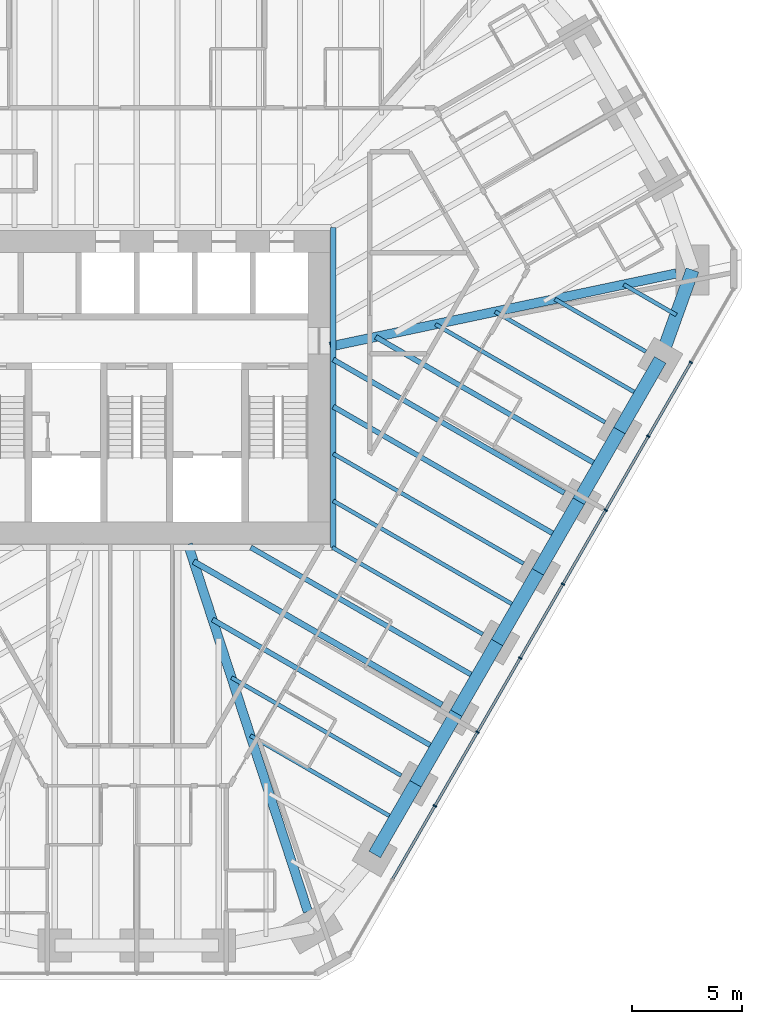
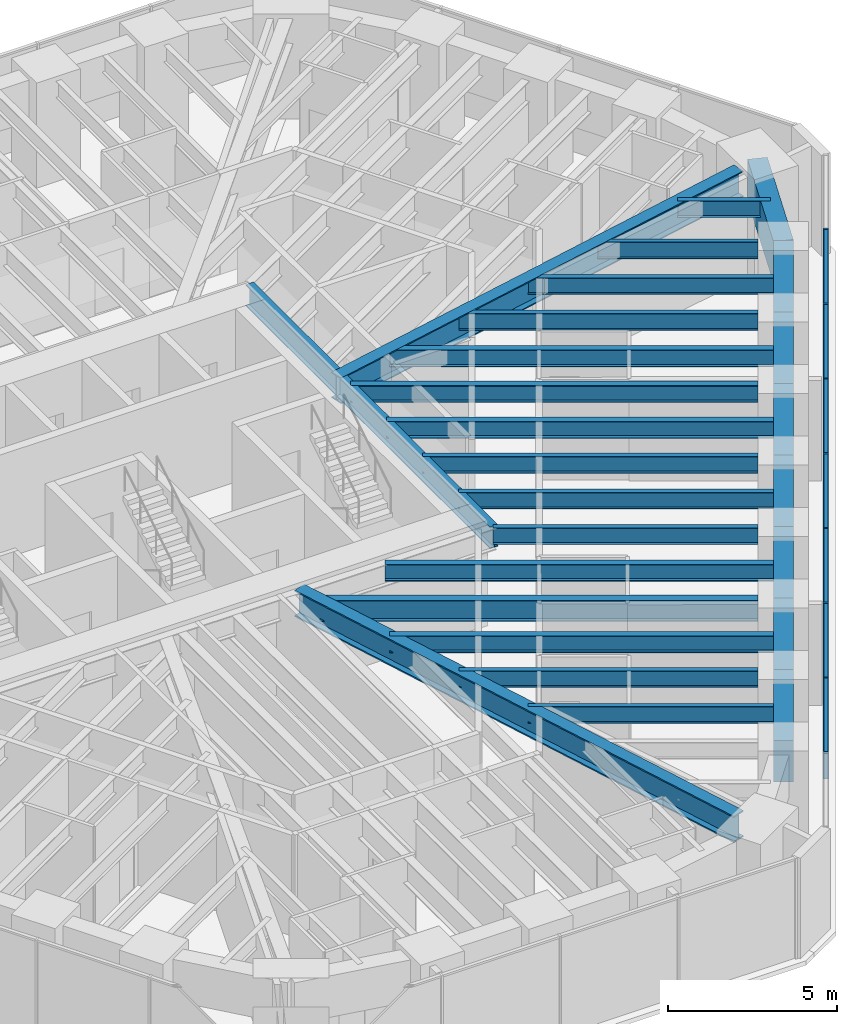
# One storey, part 5 of 17: 26 beams, 14 members, 1 element without a shape of its own.
"""IFC4 building model written with IfcOpenShell, lengths in metres."""

from ifc_helpers import new_model, si_unit, direction, frame, origin, origin_2d, place, context, subcontext, project, spatial, rectangle, i_section, extrude, material, material_profile, profile_set, type_object, element, aggregate, save


model = new_model("IFC4")

# Units and contexts
model_context = context("Model", 3, precision=1e-05, world=origin(), true_north=direction((0.0, 1.0)))
body_context = subcontext(model_context, "Body", "Model", "MODEL_VIEW")
ifc_project = project(units=[si_unit("LENGTHUNIT", "METRE"), si_unit("AREAUNIT", "SQUARE_METRE"), si_unit("VOLUMEUNIT", "CUBIC_METRE"), si_unit("PLANEANGLEUNIT", "RADIAN"), si_unit("MASSUNIT", "GRAM", prefix="KILO")], contexts=[model_context])

# Site, building, storey
site_placement = place(None, origin())
site = spatial("IfcSite", under=ifc_project, at=site_placement, CompositionType="ELEMENT")
building_placement = place(site_placement, origin())
building = spatial("IfcBuilding", under=site, at=building_placement, Name="Sandreach Pilgrim Tower", CompositionType="ELEMENT")
storey_placement = place(building_placement, frame((0.0, 0.0, 213.60009765625)))
storey = spatial("IfcBuildingStorey", under=building, at=storey_placement, Name="L53", CompositionType="ELEMENT", Elevation=213.60009765625)

# Curtain wall, members
ifc_material_1 = material(Name="Aluminium framed curtain wall", Category="aluminium")
curtain_wall_type = type_object("IfcCurtainWallType", Name="Upper hotel tower curtain wall", PredefinedType="NOTDEFINED", material=ifc_material_1)
curtain_wall_placement = place(storey_placement, origin())
curtain_wall = element("IfcCurtainWall", 1, at=curtain_wall_placement, inside=storey, type_object=curtain_wall_type, Name="CW-3 L53 SE", PredefinedType="NOTDEFINED")
ifc_material_2 = material(Name="Aluminium extrusion", Category="aluminium")
ifc_material_profile_1 = material_profile(ifc_material_2, rectangle(XDim=0.06494140625, YDim=0.159912109375, at=origin_2d()), Name="CW-3M 65X160")
ifc_profile_set_1 = profile_set([ifc_material_profile_1], Name="Aluminium extrusion")
member_type_1 = type_object("IfcMemberType", Name="CW-3 mullion", PredefinedType="MULLION", material=ifc_profile_set_1)
member_1_placement = place(storey_placement, frame((25.087890625, 1.13330078125, 0.0), z_axis=(0.0, 0.0, 1.0), x_axis=(-0.5, -0.866025403784, 0.0)))
member_1 = element("IfcMember", 2, at=member_1_placement, type_object=member_type_1, Name="CW-3 mullion 2", PredefinedType="MULLION", context=body_context, shape_type="SweptSolid", body=[
    extrude(rectangle(XDim=0.06494140625, YDim=0.159912109375, at=origin_2d()), origin(), (0.0, 0.0, 1.0), 3.639892578125),
])
member_2_placement = place(storey_placement, frame((23.15576171875, -2.21337890625, 0.0), z_axis=(0.0, 0.0, 1.0), x_axis=(-0.5, -0.866025403784, 0.0)))
member_2 = element("IfcMember", 3, at=member_2_placement, type_object=member_type_1, Name="CW-3 mullion 3", PredefinedType="MULLION", context=body_context, shape_type="SweptSolid", body=[
    extrude(rectangle(XDim=0.06494140625, YDim=0.159912109375, at=origin_2d()), origin(), (0.0, 0.0, 1.0), 3.639892578125),
])
member_3_placement = place(storey_placement, frame((21.223388671875, -5.56005859375, 0.0), z_axis=(0.0, 0.0, 1.0), x_axis=(-0.5, -0.866025403784, 0.0)))
member_3 = element("IfcMember", 4, at=member_3_placement, type_object=member_type_1, Name="CW-3 mullion 4", PredefinedType="MULLION", context=body_context, shape_type="SweptSolid", body=[
    extrude(rectangle(XDim=0.06494140625, YDim=0.159912109375, at=origin_2d()), origin(), (0.0, 0.0, 1.0), 3.639892578125),
])
member_4_placement = place(storey_placement, frame((19.291259765625, -8.90673828125, 0.0), z_axis=(0.0, 0.0, 1.0), x_axis=(-0.5, -0.866025403784, 0.0)))
member_4 = element("IfcMember", 5, at=member_4_placement, type_object=member_type_1, Name="CW-3 mullion 5", PredefinedType="MULLION", context=body_context, shape_type="SweptSolid", body=[
    extrude(rectangle(XDim=0.06494140625, YDim=0.159912109375, at=origin_2d()), origin(), (0.0, 0.0, 1.0), 3.639892578125),
])
member_5_placement = place(storey_placement, frame((17.359130859375, -12.25341796875, 0.0), z_axis=(0.0, 0.0, 1.0), x_axis=(-0.5, -0.866025403784, 0.0)))
member_5 = element("IfcMember", 6, at=member_5_placement, type_object=member_type_1, Name="CW-3 mullion 6", PredefinedType="MULLION", context=body_context, shape_type="SweptSolid", body=[
    extrude(rectangle(XDim=0.06494140625, YDim=0.159912109375, at=origin_2d()), origin(), (0.0, 0.0, 1.0), 3.639892578125),
])
member_6_placement = place(storey_placement, frame((15.4267578125, -15.60009765625, 0.0), z_axis=(0.0, 0.0, 1.0), x_axis=(-0.5, -0.866025403784, 0.0)))
member_6 = element("IfcMember", 7, at=member_6_placement, type_object=member_type_1, Name="CW-3 mullion 7", PredefinedType="MULLION", context=body_context, shape_type="SweptSolid", body=[
    extrude(rectangle(XDim=0.06494140625, YDim=0.159912109375, at=origin_2d()), origin(), (0.0, 0.0, 1.0), 3.639892578125),
])
member_7_placement = place(storey_placement, frame((13.49462890625, -18.94677734375, 0.0), z_axis=(0.0, 0.0, 1.0), x_axis=(-0.5, -0.866025403784, 0.0)))
member_7 = element("IfcMember", 8, at=member_7_placement, type_object=member_type_1, Name="CW-3 mullion 8", PredefinedType="MULLION", context=body_context, shape_type="SweptSolid", body=[
    extrude(rectangle(XDim=0.06494140625, YDim=0.159912109375, at=origin_2d()), origin(), (0.0, 0.0, 1.0), 3.639892578125),
])
ifc_material_3 = material(Name="Aluminium extrusion", Category="aluminium")
ifc_material_profile_2 = material_profile(ifc_material_3, rectangle(XDim=0.1201171875, YDim=0.070068359375, at=origin_2d()), Name="CW-3T 120X70")
ifc_profile_set_2 = profile_set([ifc_material_profile_2], Name="Aluminium extrusion")
member_type_2 = type_object("IfcMemberType", Name="CW-3 transom", PredefinedType="USERDEFINED", material=ifc_profile_set_2)
member_8_placement = place(storey_placement, frame((25.07177734375, 1.105224609375, 3.60498046875), z_axis=(-0.500022797313, -0.86601224135, 0.0), x_axis=(0.86601224135, -0.500022797313, 0.0)))
member_8 = element("IfcMember", 9, at=member_8_placement, type_object=member_type_2, Name="CW-3 head transom 2", ObjectType="TRANSOM", PredefinedType="USERDEFINED", context=body_context, shape_type="SweptSolid", body=[
    extrude(rectangle(XDim=0.1201171875, YDim=0.070068359375, at=origin_2d()), origin(), (0.0, 0.0, 1.0), 3.799560546875),
])
member_9_placement = place(storey_placement, frame((23.139404296875, -2.241455078125, 3.60498046875), z_axis=(-0.499974606132, -0.866040064445, 0.0), x_axis=(0.866040064445, -0.499974606132, 0.0)))
member_9 = element("IfcMember", 10, at=member_9_placement, type_object=member_type_2, Name="CW-3 head transom 3", ObjectType="TRANSOM", PredefinedType="USERDEFINED", context=body_context, shape_type="SweptSolid", body=[
    extrude(rectangle(XDim=0.1201171875, YDim=0.070068359375, at=origin_2d()), origin(), (0.0, 0.0, 1.0), 3.799560546875),
])
member_10_placement = place(storey_placement, frame((21.207275390625, -5.588134765625, 3.60498046875), z_axis=(-0.499974606132, -0.866040064445, 0.0), x_axis=(0.866040064445, -0.499974606132, 0.0)))
member_10 = element("IfcMember", 11, at=member_10_placement, type_object=member_type_2, Name="CW-3 head transom 4", ObjectType="TRANSOM", PredefinedType="USERDEFINED", context=body_context, shape_type="SweptSolid", body=[
    extrude(rectangle(XDim=0.1201171875, YDim=0.070068359375, at=origin_2d()), origin(), (0.0, 0.0, 1.0), 3.799560546875),
])
member_11_placement = place(storey_placement, frame((19.275146484375, -8.934814453125, 3.60498046875), z_axis=(-0.500022797313, -0.86601224135, 0.0), x_axis=(0.86601224135, -0.500022797313, 0.0)))
member_11 = element("IfcMember", 12, at=member_11_placement, type_object=member_type_2, Name="CW-3 head transom 5", ObjectType="TRANSOM", PredefinedType="USERDEFINED", context=body_context, shape_type="SweptSolid", body=[
    extrude(rectangle(XDim=0.1201171875, YDim=0.070068359375, at=origin_2d()), origin(), (0.0, 0.0, 1.0), 3.799560546875),
])
member_12_placement = place(storey_placement, frame((17.3427734375, -12.281494140625, 3.60498046875), z_axis=(-0.499974606132, -0.866040064445, 0.0), x_axis=(0.866040064445, -0.499974606132, 0.0)))
member_12 = element("IfcMember", 13, at=member_12_placement, type_object=member_type_2, Name="CW-3 head transom 6", ObjectType="TRANSOM", PredefinedType="USERDEFINED", context=body_context, shape_type="SweptSolid", body=[
    extrude(rectangle(XDim=0.1201171875, YDim=0.070068359375, at=origin_2d()), origin(), (0.0, 0.0, 1.0), 3.799560546875),
])
member_13_placement = place(storey_placement, frame((15.41064453125, -15.628173828125, 3.60498046875), z_axis=(-0.499974606132, -0.866040064445, 0.0), x_axis=(0.866040064445, -0.499974606132, 0.0)))
member_13 = element("IfcMember", 14, at=member_13_placement, type_object=member_type_2, Name="CW-3 head transom 7", ObjectType="TRANSOM", PredefinedType="USERDEFINED", context=body_context, shape_type="SweptSolid", body=[
    extrude(rectangle(XDim=0.1201171875, YDim=0.070068359375, at=origin_2d()), origin(), (0.0, 0.0, 1.0), 3.799560546875),
])
member_14_placement = place(storey_placement, frame((13.478515625, -18.974853515625, 3.60498046875), z_axis=(-0.500022797313, -0.86601224135, 0.0), x_axis=(0.86601224135, -0.500022797313, 0.0)))
member_14 = element("IfcMember", 15, at=member_14_placement, type_object=member_type_2, Name="CW-3 head transom 8", ObjectType="TRANSOM", PredefinedType="USERDEFINED", context=body_context, shape_type="SweptSolid", body=[
    extrude(rectangle(XDim=0.1201171875, YDim=0.070068359375, at=origin_2d()), origin(), (0.0, 0.0, 1.0), 3.799560546875),
])
aggregate(curtain_wall, [member_1, member_2, member_3, member_4, member_5, member_6, member_7, member_8, member_9, member_10, member_11, member_12, member_13, member_14])

# Beams
ifc_material_4 = material(Name="Steel ASTM A992 Grade 50", Category="steel")
ifc_material_profile_3 = material_profile(ifc_material_4, i_section(OverallWidth=0.2666015625, OverallDepth=0.77978515625, WebThickness=0.0166015625, FlangeThickness=0.030029296875, at=origin_2d()), Name="W30X148")
ifc_profile_set_3 = profile_set([ifc_material_profile_3], Name="Steel ASTM A992 Grade 50")
beam_type_1 = type_object("IfcBeamType", Name="Core edge beam W30X148", PredefinedType="BEAM", material=ifc_profile_set_3)
beam_1_placement = place(storey_placement, frame((8.893310546875, 7.243408203125, 3.25), z_axis=(0.0, -1.0, 0.0), x_axis=(1.0, 0.0, 0.0)))
element("IfcBeam", 16, at=beam_1_placement, inside=storey, type_object=beam_type_1, Name="BM L53 CEE", PredefinedType="BEAM", context=body_context, shape_type="SweptSolid", body=[
    extrude(i_section(OverallWidth=0.2666015625, OverallDepth=0.77978515625, WebThickness=0.0166015625, FlangeThickness=0.030029296875, at=origin_2d()), origin(), (0.0, 0.0, 1.0), 14.48681640625),
])
ifc_material_5 = material(Name="Steel ASTM A992 Grade 50", Category="steel")
ifc_material_profile_4 = material_profile(ifc_material_5, i_section(OverallWidth=0.421630859375, OverallDepth=0.937255859375, WebThickness=0.0224609375, FlangeThickness=0.039794921875, at=origin_2d()), Name="W36X282")
ifc_profile_set_4 = profile_set([ifc_material_profile_4], Name="Steel ASTM A992 Grade 50")
beam_type_2 = type_object("IfcBeamType", Name="Corner girder W36X282", PredefinedType="BEAM", material=ifc_profile_set_4)
beam_2_placement = place(storey_placement, frame((24.422607421875, 5.156494140625, 3.17138671875), z_axis=(-0.978428978804, -0.206583478132, 0.0), x_axis=(0.206583478132, -0.978428978804, 0.0)))
element("IfcBeam", 17, at=beam_2_placement, inside=storey, type_object=beam_type_2, Name="BM L53 CG13", PredefinedType="BEAM", context=body_context, shape_type="SweptSolid", body=[
    extrude(i_section(OverallWidth=0.421630859375, OverallDepth=0.937255859375, WebThickness=0.0224609375, FlangeThickness=0.039794921875, at=origin_2d()), origin(), (0.0, 0.0, 1.0), 16.01806640625),
])
ifc_material_6 = material(Name="Steel ASTM A992 Grade 50", Category="steel")
ifc_material_profile_5 = material_profile(ifc_material_6, i_section(OverallWidth=0.421630859375, OverallDepth=0.95751953125, WebThickness=0.02587890625, FlangeThickness=0.046875, at=origin_2d()), Name="W36X330")
ifc_profile_set_5 = profile_set([ifc_material_profile_5], Name="Steel ASTM A992 Grade 50")
beam_type_3 = type_object("IfcBeamType", Name="Corner girder W36X330", PredefinedType="BEAM", material=ifc_profile_set_5)
beam_3_placement = place(storey_placement, frame((7.745849609375, -23.72900390625, 3.1611328125), z_axis=(-0.310317870968, 0.950632851819, 0.0), x_axis=(-0.950632851819, -0.310317870968, 0.0)))
element("IfcBeam", 18, at=beam_3_placement, inside=storey, type_object=beam_type_3, Name="BM L53 CG22", PredefinedType="BEAM", context=body_context, shape_type="SweptSolid", body=[
    extrude(i_section(OverallWidth=0.421630859375, OverallDepth=0.95751953125, WebThickness=0.02587890625, FlangeThickness=0.046875, at=origin_2d()), origin(), (0.0, 0.0, 1.0), 17.492431640625),
])
ifc_material_7 = material(Name="Steel ASTM A992 Grade 50", Category="steel")
ifc_material_profile_6 = material_profile(ifc_material_7, i_section(OverallWidth=0.1787109375, OverallDepth=0.60205078125, WebThickness=0.010986328125, FlangeThickness=0.014892578125, at=origin_2d()), Name="W24X62")
ifc_profile_set_6 = profile_set([ifc_material_profile_6], Name="Steel ASTM A992 Grade 50")
beam_type_4 = type_object("IfcBeamType", Name="Floor beam W24X62", PredefinedType="BEAM", material=ifc_profile_set_6)
beam_4_placement = place(storey_placement, frame((23.04638671875, 1.6171875, 3.3388671875), z_axis=(-0.86603347311, 0.499986023258, 0.0), x_axis=(-0.499986023258, -0.86603347311, 0.0)))
element("IfcBeam", 19, at=beam_4_placement, inside=storey, type_object=beam_type_4, Name="BM L53 F14", PredefinedType="BEAM", context=body_context, shape_type="SweptSolid", body=[
    extrude(i_section(OverallWidth=0.1787109375, OverallDepth=0.60205078125, WebThickness=0.010986328125, FlangeThickness=0.014892578125, at=origin_2d()), origin(), (0.0, 0.0, 1.0), 4.757568359375),
])
beam_5_placement = place(storey_placement, frame((21.2001953125, -1.58056640625, 3.3388671875), z_axis=(-0.866027448082, 0.499996459156, 0.0), x_axis=(-0.499996459156, -0.866027448082, 0.0)))
element("IfcBeam", 20, at=beam_5_placement, inside=storey, type_object=beam_type_4, Name="BM L53 F15", PredefinedType="BEAM", context=body_context, shape_type="SweptSolid", body=[
    extrude(i_section(OverallWidth=0.1787109375, OverallDepth=0.60205078125, WebThickness=0.010986328125, FlangeThickness=0.014892578125, at=origin_2d()), origin(), (0.0, 0.0, 1.0), 8.86962890625),
])
beam_6_placement = place(storey_placement, frame((17.507568359375, -7.97607421875, 3.3388671875), z_axis=(-0.866027815265, 0.499995823171, 0.0), x_axis=(-0.499995823171, -0.866027815265, 0.0)))
element("IfcBeam", 21, at=beam_6_placement, inside=storey, type_object=beam_type_4, Name="BM L53 F17", PredefinedType="BEAM", context=body_context, shape_type="SweptSolid", body=[
    extrude(i_section(OverallWidth=0.1787109375, OverallDepth=0.60205078125, WebThickness=0.010986328125, FlangeThickness=0.014892578125, at=origin_2d()), origin(), (0.0, 0.0, 1.0), 9.94677734375),
])
beam_7_placement = place(storey_placement, frame((15.661376953125, -11.173828125, 3.3388671875), z_axis=(-0.866038711524, 0.49997694961, 0.0), x_axis=(-0.49997694961, -0.866038711524, 0.0)))
element("IfcBeam", 22, at=beam_7_placement, inside=storey, type_object=beam_type_4, Name="BM L53 F18", PredefinedType="BEAM", context=body_context, shape_type="SweptSolid", body=[
    extrude(i_section(OverallWidth=0.1787109375, OverallDepth=0.60205078125, WebThickness=0.010986328125, FlangeThickness=0.014892578125, at=origin_2d()), origin(), (0.0, 0.0, 1.0), 7.861083984375),
])
beam_8_placement = place(storey_placement, frame((11.96875, -17.569580078125, 3.3388671875), z_axis=(-0.866020566617, 0.500008378126, 0.0), x_axis=(-0.500008378126, -0.866020566617, 0.0)))
element("IfcBeam", 23, at=beam_8_placement, inside=storey, type_object=beam_type_4, Name="BM L53 F20", PredefinedType="BEAM", context=body_context, shape_type="SweptSolid", body=[
    extrude(i_section(OverallWidth=0.1787109375, OverallDepth=0.60205078125, WebThickness=0.010986328125, FlangeThickness=0.014892578125, at=origin_2d()), origin(), (0.0, 0.0, 1.0), 8.869384765625),
])
beam_9_placement = place(storey_placement, frame((24.42626953125, 3.27685546875, 3.3388671875), z_axis=(-0.866046803606, 0.49996293259, 0.0), x_axis=(-0.49996293259, -0.866046803606, 0.0)))
element("IfcBeam", 24, at=beam_9_placement, inside=storey, type_object=beam_type_4, Name="BM L53 FM13", PredefinedType="BEAM", context=body_context, shape_type="SweptSolid", body=[
    extrude(i_section(OverallWidth=0.1787109375, OverallDepth=0.60205078125, WebThickness=0.010986328125, FlangeThickness=0.014892578125, at=origin_2d()), origin(), (0.0, 0.0, 1.0), 2.753662109375),
])
beam_10_placement = place(storey_placement, frame((22.772705078125, -0.356689453125, 3.3388671875), z_axis=(-0.866029704776, 0.49999255039, 0.0), x_axis=(-0.49999255039, -0.866029704776, 0.0)))
element("IfcBeam", 25, at=beam_10_placement, inside=storey, type_object=beam_type_4, Name="BM L53 FM14", PredefinedType="BEAM", context=body_context, shape_type="SweptSolid", body=[
    extrude(i_section(OverallWidth=0.1787109375, OverallDepth=0.60205078125, WebThickness=0.010986328125, FlangeThickness=0.014892578125, at=origin_2d()), origin(), (0.0, 0.0, 1.0), 7.5634765625),
])
beam_11_placement = place(storey_placement, frame((17.23388671875, -9.949951171875, 3.3388671875), z_axis=(-0.866025593094, 0.499999672107, 0.0), x_axis=(-0.499999672107, -0.866025593094, 0.0)))
element("IfcBeam", 26, at=beam_11_placement, inside=storey, type_object=beam_type_4, Name="BM L53 FM17", PredefinedType="BEAM", context=body_context, shape_type="SweptSolid", body=[
    extrude(i_section(OverallWidth=0.1787109375, OverallDepth=0.60205078125, WebThickness=0.010986328125, FlangeThickness=0.014892578125, at=origin_2d()), origin(), (0.0, 0.0, 1.0), 9.630859375),
])
beam_12_placement = place(storey_placement, frame((11.6953125, -19.54345703125, 3.3388671875), z_axis=(-0.866029704776, 0.49999255039, 0.0), x_axis=(-0.49999255039, -0.866029704776, 0.0)))
element("IfcBeam", 27, at=beam_12_placement, inside=storey, type_object=beam_type_4, Name="BM L53 FM20", PredefinedType="BEAM", context=body_context, shape_type="SweptSolid", body=[
    extrude(i_section(OverallWidth=0.1787109375, OverallDepth=0.60205078125, WebThickness=0.010986328125, FlangeThickness=0.014892578125, at=origin_2d()), origin(), (0.0, 0.0, 1.0), 7.5634765625),
])
ifc_material_8 = material(Name="Steel ASTM A992 Grade 50", Category="steel")
ifc_material_profile_7 = material_profile(ifc_material_8, i_section(OverallWidth=0.23046875, OverallDepth=0.6171875, WebThickness=0.01318359375, FlangeThickness=0.022216796875, at=origin_2d()), Name="W24X94")
ifc_profile_set_7 = profile_set([ifc_material_profile_7], Name="Steel ASTM A992 Grade 50")
beam_type_5 = type_object("IfcBeamType", Name="Floor beam W24X94", PredefinedType="BEAM", material=ifc_profile_set_7)
beam_13_placement = place(storey_placement, frame((19.353759765625, -4.7783203125, 3.331298828125), z_axis=(-0.866026713419, 0.49999773164, 0.0), x_axis=(-0.49999773164, -0.866026713419, 0.0)))
element("IfcBeam", 28, at=beam_13_placement, inside=storey, type_object=beam_type_5, Name="BM L53 F16", PredefinedType="BEAM", context=body_context, shape_type="SweptSolid", body=[
    extrude(i_section(OverallWidth=0.23046875, OverallDepth=0.6171875, WebThickness=0.01318359375, FlangeThickness=0.022216796875, at=origin_2d()), origin(), (0.0, 0.0, 1.0), 12.07861328125),
])
beam_14_placement = place(storey_placement, frame((20.926513671875, -3.554443359375, 3.331298828125), z_axis=(-0.866026454974, 0.499998179282, 0.0), x_axis=(-0.499998179282, -0.866026454974, 0.0)))
element("IfcBeam", 29, at=beam_14_placement, inside=storey, type_object=beam_type_5, Name="BM L53 FM15", PredefinedType="BEAM", context=body_context, shape_type="SweptSolid", body=[
    extrude(i_section(OverallWidth=0.23046875, OverallDepth=0.6171875, WebThickness=0.01318359375, FlangeThickness=0.022216796875, at=origin_2d()), origin(), (0.0, 0.0, 1.0), 11.67578125),
])
beam_15_placement = place(storey_placement, frame((19.080322265625, -6.752197265625, 3.331298828125), z_axis=(-0.866030053141, 0.499991946992, 0.0), x_axis=(-0.499991946992, -0.866030053141, 0.0)))
element("IfcBeam", 30, at=beam_15_placement, inside=storey, type_object=beam_type_5, Name="BM L53 FM16", PredefinedType="BEAM", context=body_context, shape_type="SweptSolid", body=[
    extrude(i_section(OverallWidth=0.23046875, OverallDepth=0.6171875, WebThickness=0.01318359375, FlangeThickness=0.022216796875, at=origin_2d()), origin(), (0.0, 0.0, 1.0), 11.762939453125),
])
beam_16_placement = place(storey_placement, frame((15.3876953125, -13.14794921875, 3.331298828125), z_axis=(-0.866022050506, 0.500005808004, 0.0), x_axis=(-0.500005808004, -0.866022050506, 0.0)))
element("IfcBeam", 31, at=beam_16_placement, inside=storey, type_object=beam_type_5, Name="BM L53 FM18", PredefinedType="BEAM", context=body_context, shape_type="SweptSolid", body=[
    extrude(i_section(OverallWidth=0.23046875, OverallDepth=0.6171875, WebThickness=0.01318359375, FlangeThickness=0.022216796875, at=origin_2d()), origin(), (0.0, 0.0, 1.0), 11.808837890625),
])
beam_17_placement = place(storey_placement, frame((13.54150390625, -16.345703125, 3.331298828125), z_axis=(-0.866026454974, 0.499998179282, 0.0), x_axis=(-0.499998179282, -0.866026454974, 0.0)))
element("IfcBeam", 32, at=beam_17_placement, inside=storey, type_object=beam_type_5, Name="BM L53 FM19", PredefinedType="BEAM", context=body_context, shape_type="SweptSolid", body=[
    extrude(i_section(OverallWidth=0.23046875, OverallDepth=0.6171875, WebThickness=0.01318359375, FlangeThickness=0.022216796875, at=origin_2d()), origin(), (0.0, 0.0, 1.0), 11.67578125),
])
ifc_material_9 = material(Name="Steel ASTM A992 Grade 50", Category="steel")
ifc_material_profile_8 = material_profile(ifc_material_9, i_section(OverallWidth=0.2666015625, OverallDepth=0.761962890625, WebThickness=0.014404296875, FlangeThickness=0.021484375, at=origin_2d()), Name="W30X116")
ifc_profile_set_8 = profile_set([ifc_material_profile_8], Name="Steel ASTM A992 Grade 50")
beam_type_6 = type_object("IfcBeamType", Name="Floor beam W30X116", PredefinedType="BEAM", material=ifc_profile_set_8)
beam_18_placement = place(storey_placement, frame((13.815185546875, -14.371826171875, 3.2587890625), z_axis=(-0.866025240073, 0.500000283557, 0.0), x_axis=(-0.500000283557, -0.866025240073, 0.0)))
element("IfcBeam", 33, at=beam_18_placement, inside=storey, type_object=beam_type_6, Name="BM L53 F19", PredefinedType="BEAM", context=body_context, shape_type="SweptSolid", body=[
    extrude(i_section(OverallWidth=0.2666015625, OverallDepth=0.761962890625, WebThickness=0.014404296875, FlangeThickness=0.021484375, at=origin_2d()), origin(), (0.0, 0.0, 1.0), 12.98193359375),
])
ifc_material_10 = material(Name="Concrete 10000 psi", Category="concrete")
ifc_material_profile_9 = material_profile(ifc_material_10, rectangle(XDim=0.60009765625, YDim=1.5, at=origin_2d()), Name="RC600X1500")
ifc_profile_set_9 = profile_set([ifc_material_profile_9], Name="Concrete 10000 psi")
beam_type_7 = type_object("IfcBeamType", Name="Spandrel beam RC600X1500", PredefinedType="SPANDREL", material=ifc_profile_set_9)
beam_19_placement = place(storey_placement, frame((25.156494140625, 5.311279296875, 2.889892578125), z_axis=(-0.337863470932, -0.941195131208, 0.0), x_axis=(0.941195131208, -0.337863470932, 0.0)))
element("IfcBeam", 34, at=beam_19_placement, inside=storey, type_object=beam_type_7, Name="BM L53 SP13", PredefinedType="SPANDREL", context=body_context, shape_type="SweptSolid", body=[
    extrude(rectangle(XDim=0.60009765625, YDim=1.5, at=origin_2d()), origin(), (0.0, 0.0, 1.0), 4.3232421875),
])
for number, where, z_axis, x_axis, name in (
    (35, (23.69580078125, 1.2421875, 2.889892578125), (-0.499993363642, -0.866029235253, 0.0), (0.866029235253, -0.499993363642, 0.0), "BM L53 SP14"),
    (36, (21.849609375, -1.95556640625, 2.889892578125), (-0.499993363642, -0.866029235253, 0.0), (0.866029235253, -0.499993363642, 0.0), "BM L53 SP15"),
    (37, (20.00341796875, -5.1533203125, 2.889892578125), (-0.499993363642, -0.866029235253, 0.0), (0.866029235253, -0.499993363642, 0.0), "BM L53 SP16"),
):
    element("IfcBeam", number, at=place(storey_placement, frame(where, z_axis=z_axis, x_axis=x_axis)), inside=storey, type_object=beam_type_7, Name=name, PredefinedType="SPANDREL", context=body_context, shape_type="SweptSolid", body=[
        extrude(rectangle(XDim=0.60009765625, YDim=1.5, at=origin_2d()), origin(), (0.0, 0.0, 1.0), 3.6923828125),
    ])
for number, where, z_axis, x_axis, name in (
    (38, (18.1572265625, -8.35107421875, 2.889892578125), (-0.500042951019, -0.866000604582, 0.0), (0.866000604582, -0.500042951019, 0.0), "BM L53 SP17"),
    (39, (16.310791015625, -11.548828125, 2.889892578125), (-0.49996473481, -0.866045763194, 0.0), (0.866045763194, -0.49996473481, 0.0), "BM L53 SP18"),
):
    element("IfcBeam", number, at=place(storey_placement, frame(where, z_axis=z_axis, x_axis=x_axis)), inside=storey, type_object=beam_type_7, Name=name, PredefinedType="SPANDREL", context=body_context, shape_type="SweptSolid", body=[
        extrude(rectangle(XDim=0.60009765625, YDim=1.5, at=origin_2d()), origin(), (0.0, 0.0, 1.0), 3.692626953125),
    ])
for number, where, z_axis, x_axis, name in (
    (40, (14.464599609375, -14.746826171875, 2.889892578125), (-0.499993363642, -0.866029235253, 0.0), (0.866029235253, -0.499993363642, 0.0), "BM L53 SP19"),
    (41, (12.618408203125, -17.944580078125, 2.889892578125), (-0.499993363642, -0.866029235253, 0.0), (0.866029235253, -0.499993363642, 0.0), "BM L53 SP20"),
):
    element("IfcBeam", number, at=place(storey_placement, frame(where, z_axis=z_axis, x_axis=x_axis)), inside=storey, type_object=beam_type_7, Name=name, PredefinedType="SPANDREL", context=body_context, shape_type="SweptSolid", body=[
        extrude(rectangle(XDim=0.60009765625, YDim=1.5, at=origin_2d()), origin(), (0.0, 0.0, 1.0), 3.6923828125),
    ])

save(model, "model.ifc")
